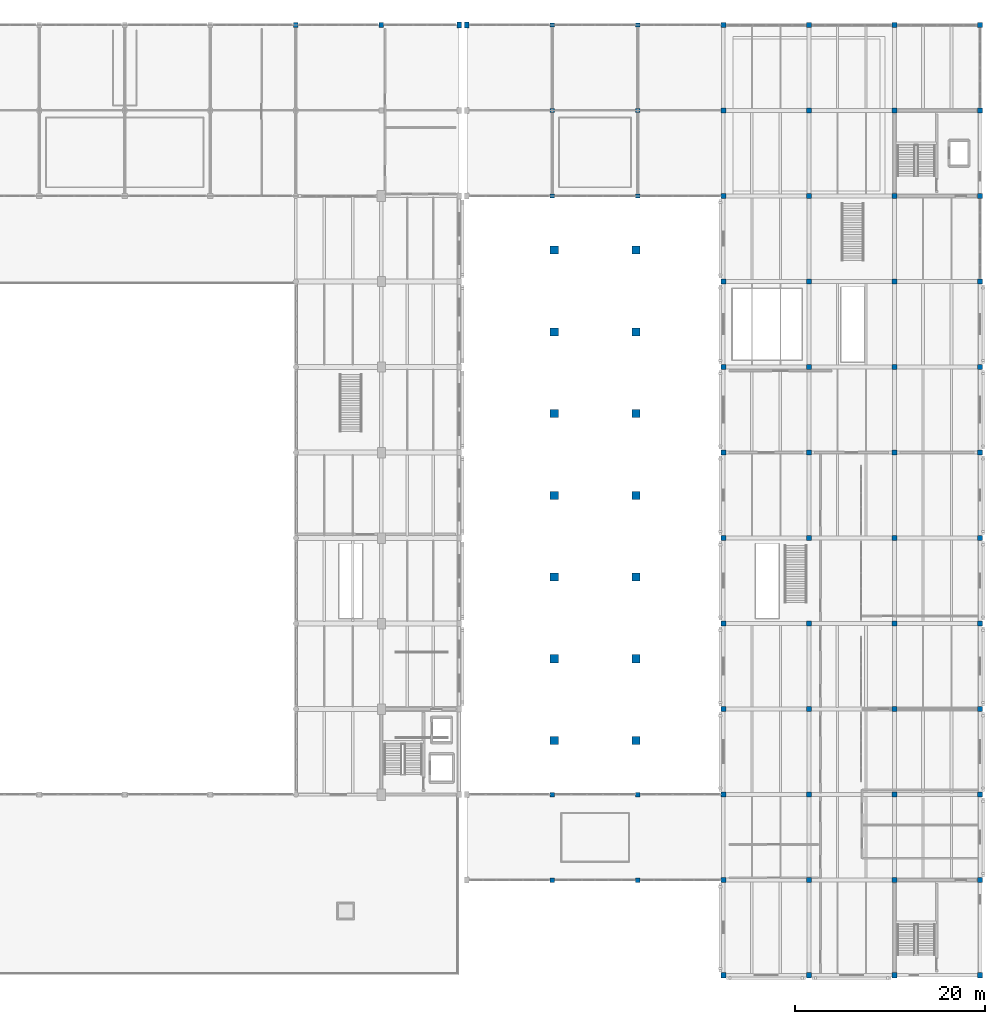
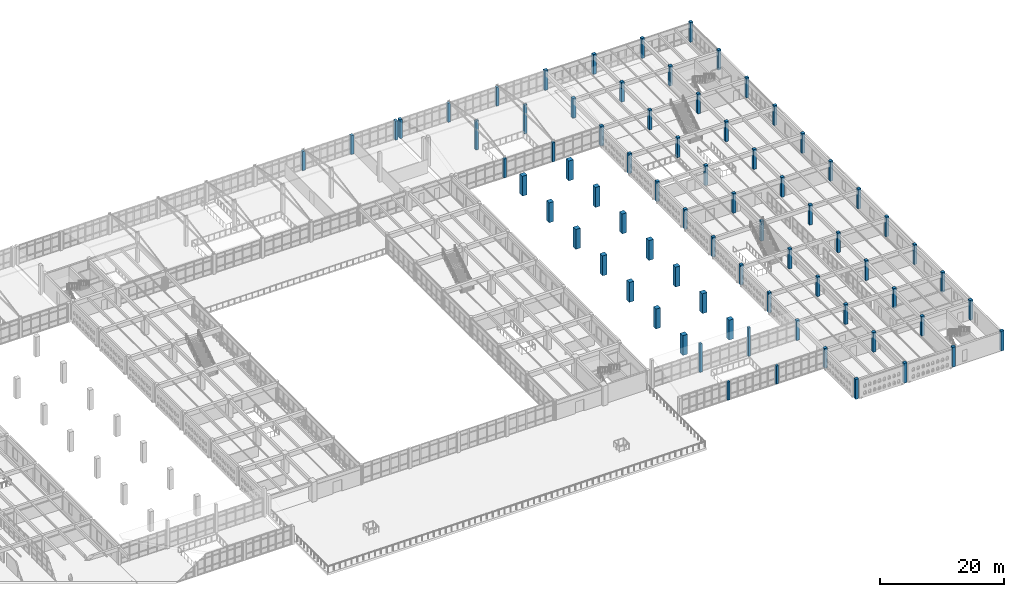
# One storey, part 2 of 156: 76 columns.
"""IFC4 building model written with IfcOpenShell, lengths in metres."""

from ifc_helpers import new_model, si_unit, direction, frame, origin, origin_2d, place, context, subcontext, project, spatial, rectangle, extrude, material, material_profile, profile_set, type_object, element, save


model = new_model("IFC4")

# Units and contexts
model_context = context("Model", 3, precision=1e-05, world=origin(), true_north=direction((0.0, 1.0)))
body_context = subcontext(model_context, "Body", "Model", "MODEL_VIEW")
ifc_project = project(units=[si_unit("LENGTHUNIT", "METRE"), si_unit("AREAUNIT", "SQUARE_METRE"), si_unit("VOLUMEUNIT", "CUBIC_METRE"), si_unit("PLANEANGLEUNIT", "RADIAN"), si_unit("MASSUNIT", "GRAM", prefix="KILO")], contexts=[model_context])

# Site, building, storey
site_placement = place(None, origin())
site = spatial("IfcSite", under=ifc_project, at=site_placement, CompositionType="ELEMENT")
building_placement = place(site_placement, origin())
building = spatial("IfcBuilding", under=site, at=building_placement, Name="Ornek Quay Market", CompositionType="ELEMENT")
storey_placement = place(building_placement, frame((0.0, 0.0, 4.5)))
storey = spatial("IfcBuildingStorey", under=building, at=storey_placement, Name="L01", CompositionType="ELEMENT", Elevation=4.5)

# Columns
ifc_material = material(Name="Concrete C40/50", Category="concrete")
ifc_material_profile_1 = material_profile(ifc_material, rectangle(XDim=0.449951171875, YDim=0.64990234375, at=origin_2d()), Name="RC 450x650", Category="concrete")
ifc_profile_set_1 = profile_set([ifc_material_profile_1], Name="Concrete C40/50")
column_type_1 = type_object("IfcColumnType", Name="COL-MJ-450x650", PredefinedType="COLUMN", material=ifc_profile_set_1)
for number, where, z_axis, x_axis, name in (
    (1, (125.199951171875, 110.0, 0.0), (0.0, 0.0, 1.0), (1.0, 0.0, 0.0), "Column C-MJ2-043"),
    (2, (126.0, 110.0, 0.0), (0.0, 0.0, 1.0), (1.0, 0.0, 0.0), "Column C-MJ2-049"),
):
    element("IfcColumn", number, at=place(storey_placement, frame(where, z_axis=z_axis, x_axis=x_axis)), inside=storey, type_object=column_type_1, Name=name, PredefinedType="COLUMN", context=body_context, shape_type="SweptSolid", body=[
        extrude(rectangle(XDim=0.449951171875, YDim=0.64990234375, at=origin_2d()), origin(), (0.0, 0.0, 1.0), 3.7099609375),
    ])
ifc_material_profile_2 = material_profile(ifc_material, rectangle(XDim=0.449951171875, YDim=0.449951171875, at=origin_2d()), Name="RC 450x450", Category="concrete")
ifc_profile_set_2 = profile_set([ifc_material_profile_2], Name="Concrete C40/50")
column_type_2 = type_object("IfcColumnType", Name="COL-RC-450x450", PredefinedType="COLUMN", material=ifc_profile_set_2)
column_1_placement = place(storey_placement, frame((135.0, 20.0, 0.0), z_axis=(0.0, 0.0, 1.0), x_axis=(1.0, 0.0, 0.0)))
element("IfcColumn", 3, at=column_1_placement, inside=storey, type_object=column_type_2, Name="Column C-45-035", PredefinedType="COLUMN", context=body_context, shape_type="SweptSolid", body=[
    extrude(rectangle(XDim=0.449951171875, YDim=0.449951171875, at=origin_2d()), origin(), (0.0, 0.0, 1.0), 3.590087890625),
])
column_2_placement = place(storey_placement, frame((135.0, 29.0, 0.0), z_axis=(0.0, 0.0, 1.0), x_axis=(1.0, 0.0, 0.0)))
element("IfcColumn", 4, at=column_2_placement, inside=storey, type_object=column_type_2, Name="Column C-45-036", PredefinedType="COLUMN", context=body_context, shape_type="SweptSolid", body=[
    extrude(rectangle(XDim=0.449951171875, YDim=0.449951171875, at=origin_2d()), origin(), (0.0, 0.0, 1.0), 5.590087890625),
])
column_3_placement = place(storey_placement, frame((135.0, 92.0, 0.0), z_axis=(0.0, 0.0, 1.0), x_axis=(1.0, 0.0, 0.0)))
element("IfcColumn", 5, at=column_3_placement, inside=storey, type_object=column_type_2, Name="Column C-45-037", PredefinedType="COLUMN", context=body_context, shape_type="SweptSolid", body=[
    extrude(rectangle(XDim=0.449951171875, YDim=0.449951171875, at=origin_2d()), origin(), (0.0, 0.0, 1.0), 3.7099609375),
])
column_4_placement = place(storey_placement, frame((135.0, 101.0, 0.0), z_axis=(0.0, 0.0, 1.0), x_axis=(1.0, 0.0, 0.0)))
element("IfcColumn", 6, at=column_4_placement, inside=storey, type_object=column_type_2, Name="Column C-45-038", PredefinedType="COLUMN", context=body_context, shape_type="SweptSolid", body=[
    extrude(rectangle(XDim=0.449951171875, YDim=0.449951171875, at=origin_2d()), origin(), (0.0, 0.0, 1.0), 5.7099609375),
])
column_5_placement = place(storey_placement, frame((135.0, 110.0, 0.0), z_axis=(0.0, 0.0, 1.0), x_axis=(1.0, 0.0, 0.0)))
element("IfcColumn", 7, at=column_5_placement, inside=storey, type_object=column_type_2, Name="Column C-45-039", PredefinedType="COLUMN", context=body_context, shape_type="SweptSolid", body=[
    extrude(rectangle(XDim=0.449951171875, YDim=0.449951171875, at=origin_2d()), origin(), (0.0, 0.0, 1.0), 3.7099609375),
])
column_6_placement = place(storey_placement, frame((144.0, 20.0, 0.0), z_axis=(0.0, 0.0, 1.0), x_axis=(1.0, 0.0, 0.0)))
element("IfcColumn", 8, at=column_6_placement, inside=storey, type_object=column_type_2, Name="Column C-45-040", PredefinedType="COLUMN", context=body_context, shape_type="SweptSolid", body=[
    extrude(rectangle(XDim=0.449951171875, YDim=0.449951171875, at=origin_2d()), origin(), (0.0, 0.0, 1.0), 3.590087890625),
])
column_7_placement = place(storey_placement, frame((144.0, 29.0, 0.0), z_axis=(0.0, 0.0, 1.0), x_axis=(1.0, 0.0, 0.0)))
element("IfcColumn", 9, at=column_7_placement, inside=storey, type_object=column_type_2, Name="Column C-45-041", PredefinedType="COLUMN", context=body_context, shape_type="SweptSolid", body=[
    extrude(rectangle(XDim=0.449951171875, YDim=0.449951171875, at=origin_2d()), origin(), (0.0, 0.0, 1.0), 5.590087890625),
])
column_8_placement = place(storey_placement, frame((144.0, 92.0, 0.0), z_axis=(0.0, 0.0, 1.0), x_axis=(1.0, 0.0, 0.0)))
element("IfcColumn", 10, at=column_8_placement, inside=storey, type_object=column_type_2, Name="Column C-45-042", PredefinedType="COLUMN", context=body_context, shape_type="SweptSolid", body=[
    extrude(rectangle(XDim=0.449951171875, YDim=0.449951171875, at=origin_2d()), origin(), (0.0, 0.0, 1.0), 3.7099609375),
])
column_9_placement = place(storey_placement, frame((144.0, 101.0, 0.0), z_axis=(0.0, 0.0, 1.0), x_axis=(1.0, 0.0, 0.0)))
element("IfcColumn", 11, at=column_9_placement, inside=storey, type_object=column_type_2, Name="Column C-45-043", PredefinedType="COLUMN", context=body_context, shape_type="SweptSolid", body=[
    extrude(rectangle(XDim=0.449951171875, YDim=0.449951171875, at=origin_2d()), origin(), (0.0, 0.0, 1.0), 5.7099609375),
])
column_10_placement = place(storey_placement, frame((144.0, 110.0, 0.0), z_axis=(0.0, 0.0, 1.0), x_axis=(1.0, 0.0, 0.0)))
element("IfcColumn", 12, at=column_10_placement, inside=storey, type_object=column_type_2, Name="Column C-45-044", PredefinedType="COLUMN", context=body_context, shape_type="SweptSolid", body=[
    extrude(rectangle(XDim=0.449951171875, YDim=0.449951171875, at=origin_2d()), origin(), (0.0, 0.0, 1.0), 3.7099609375),
])
ifc_material_profile_3 = material_profile(ifc_material, rectangle(XDim=0.5, YDim=0.5, at=origin_2d()), Name="RC 500x500", Category="concrete")
ifc_profile_set_3 = profile_set([ifc_material_profile_3], Name="Concrete C40/50")
column_type_3 = type_object("IfcColumnType", Name="COL-RC-500x500", PredefinedType="COLUMN", material=ifc_profile_set_3)
for number, where, z_axis, x_axis, name in (
    (13, (108.0, 110.0, 0.0), (0.0, 0.0, 1.0), (1.0, 0.0, 0.0), "Column C-50-062"),
    (14, (117.0, 110.0, 0.0), (0.0, 0.0, 1.0), (1.0, 0.0, 0.0), "Column C-50-064"),
):
    element("IfcColumn", number, at=place(storey_placement, frame(where, z_axis=z_axis, x_axis=x_axis)), inside=storey, type_object=column_type_3, Name=name, PredefinedType="COLUMN", context=body_context, shape_type="SweptSolid", body=[
        extrude(rectangle(XDim=0.5, YDim=0.5, at=origin_2d()), origin(), (0.0, 0.0, 1.0), 3.7099609375),
    ])
ifc_material_profile_4 = material_profile(ifc_material, rectangle(XDim=0.550048828125, YDim=0.550048828125, at=origin_2d()), Name="RC 550x550", Category="concrete")
ifc_profile_set_4 = profile_set([ifc_material_profile_4], Name="Concrete C40/50")
column_type_4 = type_object("IfcColumnType", Name="COL-RC-550x550", PredefinedType="COLUMN", material=ifc_profile_set_4)
for number, where, z_axis, x_axis, name in (
    (15, (153.0, 10.0, 0.0), (0.0, 0.0, 1.0), (1.0, 0.0, 0.0), "Column C-55-062"),
    (16, (153.0, 20.0, 0.0), (0.0, 0.0, 1.0), (1.0, 0.0, 0.0), "Column C-55-063"),
    (17, (153.0, 29.0, 0.0), (0.0, 0.0, 1.0), (1.0, 0.0, 0.0), "Column C-55-064"),
    (18, (153.0, 38.0, 0.0), (0.0, 0.0, 1.0), (1.0, 0.0, 0.0), "Column C-55-065"),
    (19, (153.0, 47.0, 0.0), (0.0, 0.0, 1.0), (1.0, 0.0, 0.0), "Column C-55-066"),
    (20, (153.0, 56.0, 0.0), (0.0, 0.0, 1.0), (1.0, 0.0, 0.0), "Column C-55-067"),
    (21, (153.0, 65.0, 0.0), (0.0, 0.0, 1.0), (1.0, 0.0, 0.0), "Column C-55-068"),
    (22, (153.0, 74.0, 0.0), (0.0, 0.0, 1.0), (1.0, 0.0, 0.0), "Column C-55-069"),
    (23, (153.0, 83.0, 0.0), (0.0, 0.0, 1.0), (1.0, 0.0, 0.0), "Column C-55-070"),
    (24, (153.0, 92.0, 0.0), (0.0, 0.0, 1.0), (1.0, 0.0, 0.0), "Column C-55-071"),
    (25, (153.0, 101.0, 0.0), (0.0, 0.0, 1.0), (1.0, 0.0, 0.0), "Column C-55-072"),
    (26, (153.0, 110.0, 0.0), (0.0, 0.0, 1.0), (1.0, 0.0, 0.0), "Column C-55-073"),
    (27, (162.0, 10.0, 0.0), (0.0, 0.0, 1.0), (1.0, 0.0, 0.0), "Column C-55-074"),
    (28, (162.0, 20.0, 0.0), (0.0, 0.0, 1.0), (1.0, 0.0, 0.0), "Column C-55-075"),
    (29, (162.0, 29.0, 0.0), (0.0, 0.0, 1.0), (1.0, 0.0, 0.0), "Column C-55-076"),
    (30, (162.0, 38.0, 0.0), (0.0, 0.0, 1.0), (1.0, 0.0, 0.0), "Column C-55-077"),
    (31, (162.0, 47.0, 0.0), (0.0, 0.0, 1.0), (1.0, 0.0, 0.0), "Column C-55-078"),
    (32, (162.0, 56.0, 0.0), (0.0, 0.0, 1.0), (1.0, 0.0, 0.0), "Column C-55-079"),
    (33, (162.0, 65.0, 0.0), (0.0, 0.0, 1.0), (1.0, 0.0, 0.0), "Column C-55-080"),
    (34, (162.0, 74.0, 0.0), (0.0, 0.0, 1.0), (1.0, 0.0, 0.0), "Column C-55-081"),
    (35, (162.0, 83.0, 0.0), (0.0, 0.0, 1.0), (1.0, 0.0, 0.0), "Column C-55-082"),
    (36, (162.0, 92.0, 0.0), (0.0, 0.0, 1.0), (1.0, 0.0, 0.0), "Column C-55-083"),
    (37, (162.0, 101.0, 0.0), (0.0, 0.0, 1.0), (1.0, 0.0, 0.0), "Column C-55-084"),
    (38, (162.0, 110.0, 0.0), (0.0, 0.0, 1.0), (1.0, 0.0, 0.0), "Column C-55-085"),
    (39, (171.0, 10.0, 0.0), (0.0, 0.0, 1.0), (1.0, 0.0, 0.0), "Column C-55-086"),
    (40, (171.0, 20.0, 0.0), (0.0, 0.0, 1.0), (1.0, 0.0, 0.0), "Column C-55-087"),
    (41, (171.0, 29.0, 0.0), (0.0, 0.0, 1.0), (1.0, 0.0, 0.0), "Column C-55-088"),
    (42, (171.0, 38.0, 0.0), (0.0, 0.0, 1.0), (1.0, 0.0, 0.0), "Column C-55-089"),
    (43, (171.0, 47.0, 0.0), (0.0, 0.0, 1.0), (1.0, 0.0, 0.0), "Column C-55-090"),
    (44, (171.0, 56.0, 0.0), (0.0, 0.0, 1.0), (1.0, 0.0, 0.0), "Column C-55-091"),
    (45, (171.0, 65.0, 0.0), (0.0, 0.0, 1.0), (1.0, 0.0, 0.0), "Column C-55-092"),
    (46, (171.0, 74.0, 0.0), (0.0, 0.0, 1.0), (1.0, 0.0, 0.0), "Column C-55-093"),
    (47, (171.0, 83.0, 0.0), (0.0, 0.0, 1.0), (1.0, 0.0, 0.0), "Column C-55-094"),
    (48, (171.0, 92.0, 0.0), (0.0, 0.0, 1.0), (1.0, 0.0, 0.0), "Column C-55-095"),
    (49, (171.0, 101.0, 0.0), (0.0, 0.0, 1.0), (1.0, 0.0, 0.0), "Column C-55-096"),
    (50, (171.0, 110.0, 0.0), (0.0, 0.0, 1.0), (1.0, 0.0, 0.0), "Column C-55-097"),
    (51, (180.0, 10.0, 0.0), (0.0, 0.0, 1.0), (1.0, 0.0, 0.0), "Column C-55-098"),
    (52, (180.0, 20.0, 0.0), (0.0, 0.0, 1.0), (1.0, 0.0, 0.0), "Column C-55-099"),
    (53, (180.0, 29.0, 0.0), (0.0, 0.0, 1.0), (1.0, 0.0, 0.0), "Column C-55-100"),
    (54, (180.0, 38.0, 0.0), (0.0, 0.0, 1.0), (1.0, 0.0, 0.0), "Column C-55-101"),
    (55, (180.0, 47.0, 0.0), (0.0, 0.0, 1.0), (1.0, 0.0, 0.0), "Column C-55-102"),
    (56, (180.0, 56.0, 0.0), (0.0, 0.0, 1.0), (1.0, 0.0, 0.0), "Column C-55-103"),
    (57, (180.0, 65.0, 0.0), (0.0, 0.0, 1.0), (1.0, 0.0, 0.0), "Column C-55-104"),
    (58, (180.0, 74.0, 0.0), (0.0, 0.0, 1.0), (1.0, 0.0, 0.0), "Column C-55-105"),
    (59, (180.0, 83.0, 0.0), (0.0, 0.0, 1.0), (1.0, 0.0, 0.0), "Column C-55-106"),
    (60, (180.0, 92.0, 0.0), (0.0, 0.0, 1.0), (1.0, 0.0, 0.0), "Column C-55-107"),
    (61, (180.0, 101.0, 0.0), (0.0, 0.0, 1.0), (1.0, 0.0, 0.0), "Column C-55-108"),
    (62, (180.0, 110.0, 0.0), (0.0, 0.0, 1.0), (1.0, 0.0, 0.0), "Column C-55-109"),
):
    element("IfcColumn", number, at=place(storey_placement, frame(where, z_axis=z_axis, x_axis=x_axis)), inside=storey, type_object=column_type_4, Name=name, PredefinedType="COLUMN", context=body_context, shape_type="SweptSolid", body=[
        extrude(rectangle(XDim=0.550048828125, YDim=0.550048828125, at=origin_2d()), origin(), (0.0, 0.0, 1.0), 3.89990234375),
    ])
ifc_material_profile_5 = material_profile(ifc_material, rectangle(XDim=0.85009765625, YDim=0.85009765625, at=origin_2d()), Name="RC 850x850", Category="concrete")
ifc_profile_set_5 = profile_set([ifc_material_profile_5], Name="Concrete C40/50")
column_type_5 = type_object("IfcColumnType", Name="COL-UMB-850x850", PredefinedType="COLUMN", material=ifc_profile_set_5)
for number, where, z_axis, x_axis, name in (
    (63, (135.199951171875, 34.699951171875, 0.0), (0.0, 0.0, 1.0), (1.0, 0.0, 0.0), "Umbrella column UMB-E01 (L01)"),
    (64, (135.199951171875, 43.300048828125, 0.0), (0.0, 0.0, 1.0), (1.0, 0.0, 0.0), "Umbrella column UMB-E02 (L01)"),
    (65, (135.199951171875, 51.89990234375, 0.0), (0.0, 0.0, 1.0), (1.0, 0.0, 0.0), "Umbrella column UMB-E03 (L01)"),
    (66, (135.199951171875, 60.5, 0.0), (0.0, 0.0, 1.0), (1.0, 0.0, 0.0), "Umbrella column UMB-E04 (L01)"),
    (67, (135.199951171875, 69.10009765625, 0.0), (0.0, 0.0, 1.0), (1.0, 0.0, 0.0), "Umbrella column UMB-E05 (L01)"),
    (68, (135.199951171875, 77.699951171875, 0.0), (0.0, 0.0, 1.0), (1.0, 0.0, 0.0), "Umbrella column UMB-E06 (L01)"),
    (69, (135.199951171875, 86.300048828125, 0.0), (0.0, 0.0, 1.0), (1.0, 0.0, 0.0), "Umbrella column UMB-E07 (L01)"),
    (70, (143.800048828125, 34.699951171875, 0.0), (0.0, 0.0, 1.0), (1.0, 0.0, 0.0), "Umbrella column UMB-E08 (L01)"),
    (71, (143.800048828125, 43.300048828125, 0.0), (0.0, 0.0, 1.0), (1.0, 0.0, 0.0), "Umbrella column UMB-E09 (L01)"),
    (72, (143.800048828125, 51.89990234375, 0.0), (0.0, 0.0, 1.0), (1.0, 0.0, 0.0), "Umbrella column UMB-E10 (L01)"),
    (73, (143.800048828125, 60.5, 0.0), (0.0, 0.0, 1.0), (1.0, 0.0, 0.0), "Umbrella column UMB-E11 (L01)"),
    (74, (143.800048828125, 69.10009765625, 0.0), (0.0, 0.0, 1.0), (1.0, 0.0, 0.0), "Umbrella column UMB-E12 (L01)"),
    (75, (143.800048828125, 77.699951171875, 0.0), (0.0, 0.0, 1.0), (1.0, 0.0, 0.0), "Umbrella column UMB-E13 (L01)"),
    (76, (143.800048828125, 86.300048828125, 0.0), (0.0, 0.0, 1.0), (1.0, 0.0, 0.0), "Umbrella column UMB-E14 (L01)"),
):
    element("IfcColumn", number, at=place(storey_placement, frame(where, z_axis=z_axis, x_axis=x_axis)), inside=storey, type_object=column_type_5, Name=name, PredefinedType="COLUMN", context=body_context, shape_type="SweptSolid", body=[
        extrude(rectangle(XDim=0.85009765625, YDim=0.85009765625, at=origin_2d()), origin(), (0.0, 0.0, 1.0), 3.89990234375),
    ])

save(model, "model.ifc")
